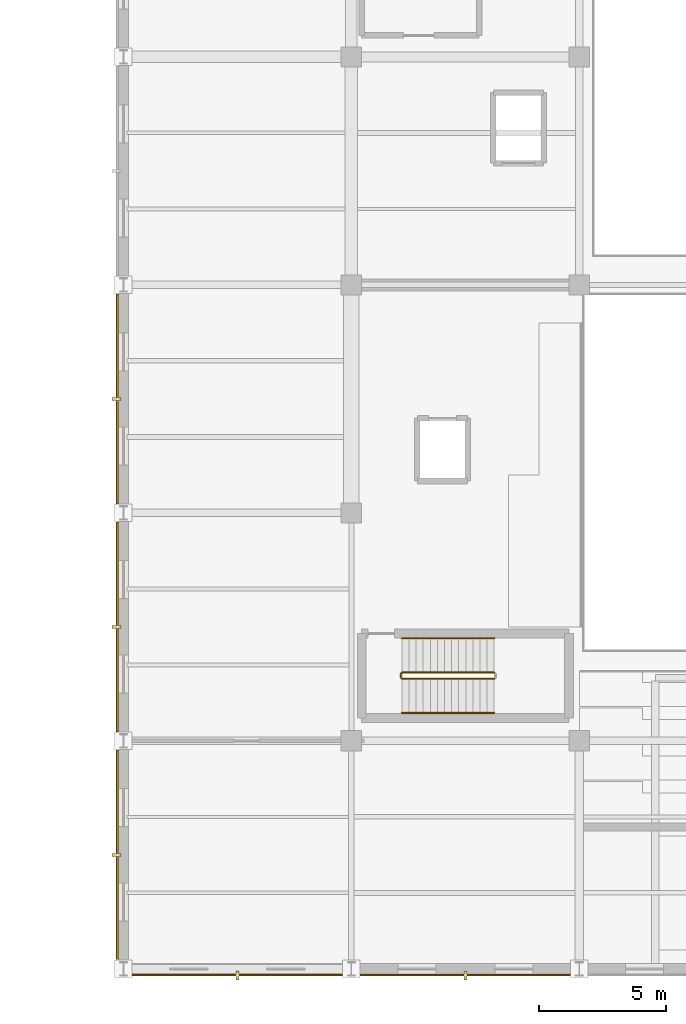
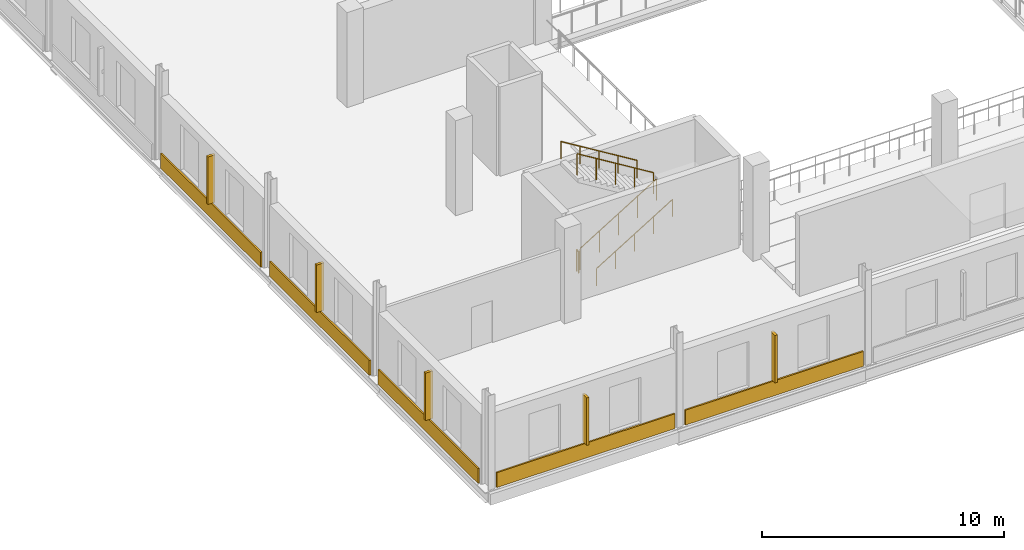
# One storey, part 28 of 35: 5 coverings, 5 railings, 5 shading devices.
"""IFC4 building model written with IfcOpenShell, lengths in metres."""

from ifc_helpers import new_model, si_unit, direction, frame, origin, origin_2d, place, context, subcontext, project, spatial, rectangle, circle, extrude, material, layer, layer_set, type_object, element, save


model = new_model("IFC4")

# Units and contexts
model_context = context("Model", 3, precision=1e-05, world=origin(), true_north=direction((0.0, 1.0)))
body_context = subcontext(model_context, "Body", "Model", "MODEL_VIEW")
ifc_project = project(units=[si_unit("LENGTHUNIT", "METRE"), si_unit("AREAUNIT", "SQUARE_METRE"), si_unit("VOLUMEUNIT", "CUBIC_METRE"), si_unit("PLANEANGLEUNIT", "RADIAN"), si_unit("MASSUNIT", "GRAM", prefix="KILO")], contexts=[model_context])

# Site, building, storey
site_placement = place(None, origin())
site = spatial("IfcSite", under=ifc_project, at=site_placement, CompositionType="ELEMENT")
building_placement = place(site_placement, origin())
building = spatial("IfcBuilding", under=site, at=building_placement, Name="Sundgate Opera House", CompositionType="ELEMENT")
storey_placement = place(building_placement, frame((0.0, 0.0, 21.60009765625)))
storey = spatial("IfcBuildingStorey", under=building, at=storey_placement, Name="L04", CompositionType="ELEMENT", Elevation=21.60009765625)

# Coverings
ifc_material_1 = material(Name="Deep-carved Komstad limestone relief panel", Category="masonry")
ifc_layer_1 = layer(ifc_material_1, 0.094970703125)
ifc_layer_set_1 = layer_set([ifc_layer_1], Name="Deep-carved Komstad limestone relief panel")
covering_type_1 = type_object("IfcCoveringType", Name="CV-TRENC-DEEP", PredefinedType="CLADDING", material=ifc_layer_set_1)
covering_1_placement = place(storey_placement, frame((40.5, 32.757568359375, 0.044921875), z_axis=(0.0, 0.0, 1.0), x_axis=(1.0, 0.0, 0.0)))
element("IfcCovering", 1, at=covering_1_placement, inside=storey, type_object=covering_type_1, Name="L04 Trencadis 750mm Relief Band CV0051", PredefinedType="CLADDING", context=body_context, shape_type="SweptSolid", body=[
    extrude(rectangle(XDim=8.510009765625, YDim=0.074951171875, at=origin_2d()), origin(), (0.0, 0.0, 1.0), 0.75),
])
covering_2_placement = place(storey_placement, frame((26.757568359375, 46.5, 0.044921875), z_axis=(0.0, 0.0, 1.0), x_axis=(0.0, 1.0, 0.0)))
element("IfcCovering", 2, at=covering_2_placement, inside=storey, type_object=covering_type_1, Name="L04 Trencadis 750mm Relief Band CV0063", PredefinedType="CLADDING", context=body_context, shape_type="SweptSolid", body=[
    extrude(rectangle(XDim=8.260009765625, YDim=0.074951171875, at=origin_2d()), origin(), (0.0, 0.0, 1.0), 0.75),
])
ifc_material_2 = material(Name="Frost-proof vitrified stoneware trencadis relief tile", Category="masonry")
ifc_layer_2 = layer(ifc_material_2, 0.074951171875)
ifc_layer_set_2 = layer_set([ifc_layer_2], Name="Frost-proof vitrified stoneware trencadis relief tile")
covering_type_2 = type_object("IfcCoveringType", Name="CV-TRENC-RELIEF", PredefinedType="CLADDING", material=ifc_layer_set_2)
covering_3_placement = place(storey_placement, frame((31.5, 32.757568359375, 0.044921875), z_axis=(0.0, 0.0, 1.0), x_axis=(1.0, 0.0, 0.0)))
element("IfcCovering", 3, at=covering_3_placement, inside=storey, type_object=covering_type_2, Name="L04 Trencadis 750mm Relief Band CV0049", PredefinedType="CLADDING", context=body_context, shape_type="SweptSolid", body=[
    extrude(rectangle(XDim=8.510009765625, YDim=0.074951171875, at=origin_2d()), origin(), (0.0, 0.0, 1.0), 0.75),
])
covering_4_placement = place(storey_placement, frame((26.757568359375, 37.5, 0.044921875), z_axis=(0.0, 0.0, 1.0), x_axis=(0.0, 1.0, 0.0)))
element("IfcCovering", 4, at=covering_4_placement, inside=storey, type_object=covering_type_2, Name="L04 Trencadis 750mm Relief Band CV0061", PredefinedType="CLADDING", context=body_context, shape_type="SweptSolid", body=[
    extrude(rectangle(XDim=8.260009765625, YDim=0.074951171875, at=origin_2d()), origin(), (0.0, 0.0, 1.0), 0.75),
])
ifc_material_3 = material(Name="Polychrome trencadis mosaic panel", Category="masonry")
ifc_layer_3 = layer(ifc_material_3, 0.054931640625)
ifc_layer_set_3 = layer_set([ifc_layer_3], Name="Polychrome trencadis mosaic panel")
covering_type_3 = type_object("IfcCoveringType", Name="CV-TRENC-SLIM", PredefinedType="CLADDING", material=ifc_layer_set_3)
covering_5_placement = place(storey_placement, frame((26.757568359375, 55.5, 0.044921875), z_axis=(0.0, 0.0, 1.0), x_axis=(0.0, 1.0, 0.0)))
element("IfcCovering", 5, at=covering_5_placement, inside=storey, type_object=covering_type_3, Name="L04 Trencadis 750mm Relief Band CV0065", PredefinedType="CLADDING", context=body_context, shape_type="SweptSolid", body=[
    extrude(rectangle(XDim=8.260009765625, YDim=0.074951171875, at=origin_2d()), origin(), (0.0, 0.0, 1.0), 0.75),
])

# Railings
ifc_material_4 = material(Name="Painted steel S275 guardrail", Category="steel")
railing_type_1 = type_object("IfcRailingType", Name="RL-STAIR-GUARD-1100", PredefinedType="GUARDRAIL", material=ifc_material_4)
railing_1_placement = place(storey_placement, frame((38.0, 44.449951171875, 0.17138671875)))
element("IfcRailing", 6, at=railing_1_placement, inside=storey, type_object=railing_type_1, Name="ST01L04 Guardrail RL0040", PredefinedType="GUARDRAIL", context=body_context, shape_type="SweptSolid", body=[
    extrude(circle(Radius=0.02392578125, at=origin_2d()), frame((0.0, 0.0, 1.076171875), z_axis=(0.852850264322, 0.0, 0.5221555579), x_axis=(0.0, 1.0, 0.0)), (0.0, 0.0, 1.0), 4.267822265625),
    extrude(circle(Radius=0.02099609375, at=origin_2d()), origin(), (0.0, 0.0, 1.0), 1.052001953125),
    extrude(circle(Radius=0.02099609375, at=origin_2d()), frame((0.909912109375, 0.0, 0.55712890625)), (0.0, 0.0, 1.0), 1.052001953125),
    extrude(circle(Radius=0.02099609375, at=origin_2d()), frame((1.81982421875, 0.0, 1.1142578125)), (0.0, 0.0, 1.0), 1.052001953125),
    extrude(circle(Radius=0.02099609375, at=origin_2d()), frame((2.72998046875, 0.0, 1.67138671875)), (0.0, 0.0, 1.0), 1.052001953125),
    extrude(circle(Radius=0.02099609375, at=origin_2d()), frame((3.639892578125, 0.0, 2.228515625)), (0.0, 0.0, 1.0), 1.052001953125),
])
railing_2_placement = place(storey_placement, frame((41.639892578125, 44.699951171875, 2.5712890625)))
element("IfcRailing", 7, at=railing_2_placement, inside=storey, type_object=railing_type_1, Name="ST01L04 Guardrail RL0042", PredefinedType="GUARDRAIL", context=body_context, shape_type="SweptSolid", body=[
    extrude(circle(Radius=0.02392578125, at=origin_2d()), frame((0.0, 0.0, 1.076171875), z_axis=(-0.852850264322, 0.0, 0.5221555579), x_axis=(0.0, -1.0, 0.0)), (0.0, 0.0, 1.0), 4.267822265625),
    extrude(circle(Radius=0.02099609375, at=origin_2d()), origin(), (0.0, 0.0, 1.0), 1.052001953125),
    extrude(circle(Radius=0.02099609375, at=origin_2d()), frame((-0.909912109375, 0.0, 0.55712890625)), (0.0, 0.0, 1.0), 1.052001953125),
    extrude(circle(Radius=0.02099609375, at=origin_2d()), frame((-1.81982421875, 0.0, 1.1142578125)), (0.0, 0.0, 1.0), 1.052001953125),
    extrude(circle(Radius=0.02099609375, at=origin_2d()), frame((-2.72998046875, 0.0, 1.67138671875)), (0.0, 0.0, 1.0), 1.052001953125),
    extrude(circle(Radius=0.02099609375, at=origin_2d()), frame((-3.639892578125, 0.0, 2.228515625)), (0.0, 0.0, 1.0), 1.052001953125),
])
railing_3_placement = place(storey_placement, frame((37.949951171875, 44.5, 0.0)))
element("IfcRailing", 8, at=railing_3_placement, inside=storey, type_object=railing_type_1, Name="ST01L04 Guardrail RL0043", PredefinedType="GUARDRAIL", context=body_context, shape_type="SweptSolid", body=[
    extrude(circle(Radius=0.02392578125, at=origin_2d()), frame((0.0, 0.0, 1.076171875), z_axis=(0.0, 1.0, 0.0), x_axis=(-1.0, 0.0, 0.0)), (0.0, 0.0, 1.0), 0.14990234375),
    extrude(circle(Radius=0.02099609375, at=origin_2d()), origin(), (0.0, 0.0, 1.0), 1.052001953125),
    extrude(circle(Radius=0.02099609375, at=origin_2d()), frame((0.0, 0.14990234375, 0.0)), (0.0, 0.0, 1.0), 1.052001953125),
])
ifc_material_5 = material(Name="Brushed stainless steel handrail", Category="steel")
railing_type_2 = type_object("IfcRailingType", Name="RL-STAIR-HAND-900", PredefinedType="HANDRAIL", material=ifc_material_5)
railing_4_placement = place(storey_placement, frame((38.0, 43.10009765625, 0.17138671875)))
element("IfcRailing", 9, at=railing_4_placement, inside=storey, type_object=railing_type_2, Name="ST01L04 Handrail RL0044", PredefinedType="HANDRAIL", context=body_context, shape_type="SweptSolid", body=[
    extrude(circle(Radius=0.02392578125, at=origin_2d()), frame((0.0, 0.0, 0.8759765625), z_axis=(0.852850264322, 0.0, 0.5221555579), x_axis=(0.0, 1.0, 0.0)), (0.0, 0.0, 1.0), 4.267822265625),
    extrude(circle(Radius=0.02099609375, at=origin_2d()), origin(), (0.0, 0.0, 1.0), 0.851806640625),
    extrude(circle(Radius=0.02099609375, at=origin_2d()), frame((0.909912109375, 0.0, 0.55712890625)), (0.0, 0.0, 1.0), 0.851806640625),
    extrude(circle(Radius=0.02099609375, at=origin_2d()), frame((1.81982421875, 0.0, 1.1142578125)), (0.0, 0.0, 1.0), 0.851806640625),
    extrude(circle(Radius=0.02099609375, at=origin_2d()), frame((2.72998046875, 0.0, 1.67138671875)), (0.0, 0.0, 1.0), 0.851806640625),
    extrude(circle(Radius=0.02099609375, at=origin_2d()), frame((3.639892578125, 0.0, 2.228515625)), (0.0, 0.0, 1.0), 0.851806640625),
])
railing_5_placement = place(storey_placement, frame((41.639892578125, 46.050048828125, 2.5712890625)))
element("IfcRailing", 10, at=railing_5_placement, inside=storey, type_object=railing_type_2, Name="ST01L04 Handrail RL0045", PredefinedType="HANDRAIL", context=body_context, shape_type="SweptSolid", body=[
    extrude(circle(Radius=0.02392578125, at=origin_2d()), frame((0.0, 0.0, 0.8759765625), z_axis=(-0.852850264322, 0.0, 0.5221555579), x_axis=(0.0, -1.0, 0.0)), (0.0, 0.0, 1.0), 4.267822265625),
    extrude(circle(Radius=0.02099609375, at=origin_2d()), origin(), (0.0, 0.0, 1.0), 0.851806640625),
    extrude(circle(Radius=0.02099609375, at=origin_2d()), frame((-0.909912109375, 0.0, 0.55712890625)), (0.0, 0.0, 1.0), 0.851806640625),
    extrude(circle(Radius=0.02099609375, at=origin_2d()), frame((-1.81982421875, 0.0, 1.1142578125)), (0.0, 0.0, 1.0), 0.851806640625),
    extrude(circle(Radius=0.02099609375, at=origin_2d()), frame((-2.72998046875, 0.0, 1.67138671875)), (0.0, 0.0, 1.0), 0.851806640625),
    extrude(circle(Radius=0.02099609375, at=origin_2d()), frame((-3.639892578125, 0.0, 2.228515625)), (0.0, 0.0, 1.0), 0.851806640625),
])

# Shading devices
ifc_material_6 = material(Name="Frost-proof vitrified stoneware ceramic fin", Category="masonry")
shading_device_type_1 = type_object("IfcShadingDeviceType", Name="SD-CERAMIC-FIN", PredefinedType="JALOUSIE", material=ifc_material_6)
shading_device_1_placement = place(storey_placement, frame((31.5, 32.735107421875, 0.800048828125), z_axis=(0.0, 0.0, 1.0), x_axis=(1.0, 0.0, 0.0)))
element("IfcShadingDevice", 11, at=shading_device_1_placement, inside=storey, type_object=shading_device_type_1, Name="L04 Ceramic Brise-Soleil Fin SD0017", PredefinedType="JALOUSIE", context=body_context, shape_type="SweptSolid", body=[
    extrude(rectangle(XDim=0.1201171875, YDim=0.35009765625, at=origin_2d()), origin(), (0.0, 0.0, 1.0), 2.39990234375),
])
for number, where, z_axis, x_axis, name in (
    (12, (26.735107421875, 37.5, 0.800048828125), (0.0, 0.0, 1.0), (1.0, 0.0, 0.0), "L04 Ceramic Brise-Soleil Fin SD0023"),
    (13, (26.735107421875, 55.5, 0.800048828125), (0.0, 0.0, 1.0), (1.0, 0.0, 0.0), "L04 Ceramic Brise-Soleil Fin SD0025"),
):
    element("IfcShadingDevice", number, at=place(storey_placement, frame(where, z_axis=z_axis, x_axis=x_axis)), inside=storey, type_object=shading_device_type_1, Name=name, PredefinedType="JALOUSIE", context=body_context, shape_type="SweptSolid", body=[
        extrude(rectangle(XDim=0.35009765625, YDim=0.1201171875, at=origin_2d()), origin(), (0.0, 0.0, 1.0), 2.39990234375),
    ])
ifc_material_7 = material(Name="Glazed ceramic acoustic sun louvre", Category="masonry")
shading_device_type_2 = type_object("IfcShadingDeviceType", Name="SD-CERAMIC-LOUVRE", PredefinedType="JALOUSIE", material=ifc_material_7)
shading_device_2_placement = place(storey_placement, frame((40.5, 32.735107421875, 0.800048828125), z_axis=(0.0, 0.0, 1.0), x_axis=(1.0, 0.0, 0.0)))
element("IfcShadingDevice", 14, at=shading_device_2_placement, inside=storey, type_object=shading_device_type_2, Name="L04 Ceramic Brise-Soleil Fin SD0018", PredefinedType="JALOUSIE", context=body_context, shape_type="SweptSolid", body=[
    extrude(rectangle(XDim=0.1201171875, YDim=0.35009765625, at=origin_2d()), origin(), (0.0, 0.0, 1.0), 2.39990234375),
])
shading_device_3_placement = place(storey_placement, frame((26.735107421875, 46.5, 0.800048828125), z_axis=(0.0, 0.0, 1.0), x_axis=(1.0, 0.0, 0.0)))
element("IfcShadingDevice", 15, at=shading_device_3_placement, inside=storey, type_object=shading_device_type_2, Name="L04 Ceramic Brise-Soleil Fin SD0024", PredefinedType="JALOUSIE", context=body_context, shape_type="SweptSolid", body=[
    extrude(rectangle(XDim=0.35009765625, YDim=0.1201171875, at=origin_2d()), origin(), (0.0, 0.0, 1.0), 2.39990234375),
])

save(model, "model.ifc")
